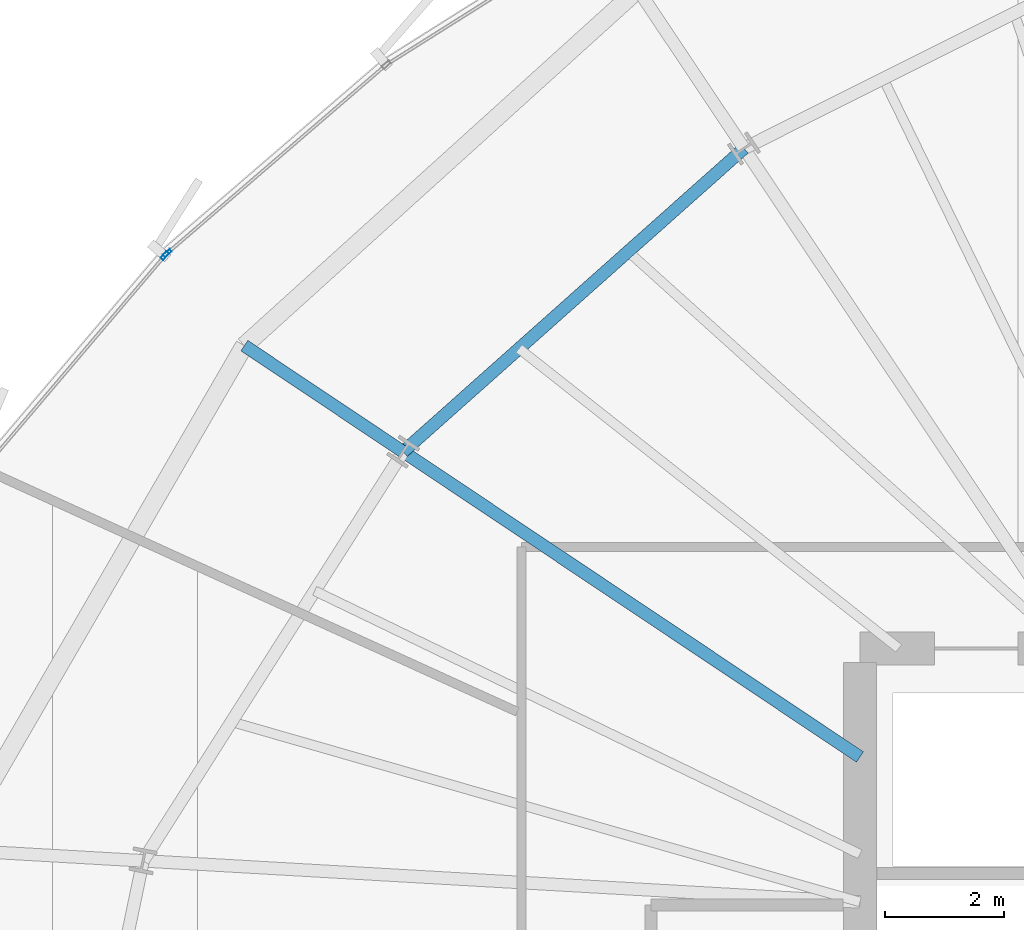
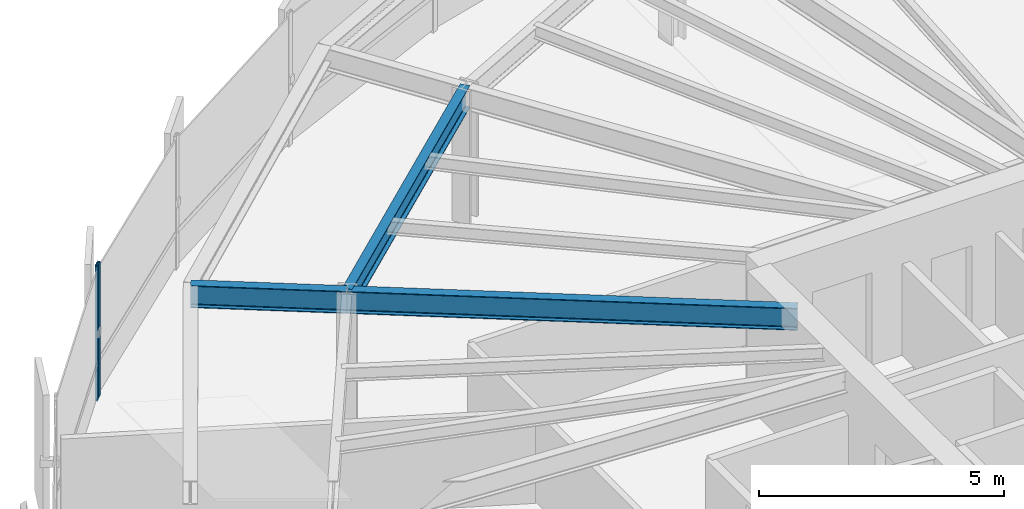
# One storey, part 18 of 33: 3 beams, 2 members, 2 elements without a shape of their own.
"""IFC4 building model written with IfcOpenShell, lengths in metres."""

from ifc_helpers import new_model, si_unit, direction, frame, origin, origin_2d, place, context, subcontext, project, spatial, hollow_rectangle, i_section, extrude, source, transform, mapped, material, layer, layer_set, material_profile, profile_set, type_object, element, aggregate, save


model = new_model("IFC4")

# Units and contexts
model_context = context("Model", 3, precision=1e-05, world=origin(), true_north=direction((0.0, 1.0)))
body_context = subcontext(model_context, "Body", "Model", "MODEL_VIEW")
ifc_project = project(units=[si_unit("LENGTHUNIT", "METRE"), si_unit("AREAUNIT", "SQUARE_METRE"), si_unit("VOLUMEUNIT", "CUBIC_METRE"), si_unit("PLANEANGLEUNIT", "RADIAN"), si_unit("MASSUNIT", "GRAM", prefix="KILO"), si_unit("THERMODYNAMICTEMPERATUREUNIT", "KELVIN")], contexts=[model_context])

# Site, building, storey
site_placement = place(None, origin())
site = spatial("IfcSite", under=ifc_project, at=site_placement, CompositionType="ELEMENT")
building_placement = place(site_placement, origin())
building = spatial("IfcBuilding", under=site, at=building_placement, Name="Kethvar Cultural Tower", CompositionType="ELEMENT")
storey_placement = place(building_placement, frame((0.0, 0.0, 114.39990234375)))
storey = spatial("IfcBuildingStorey", under=building, at=storey_placement, Name="L28", CompositionType="ELEMENT", Elevation=114.39990234375)

# Beams
ifc_material_1 = material(Name="Steel S355J2", Category="steel")
ifc_material_profile_1 = material_profile(ifc_material_1, i_section(OverallWidth=0.2099609375, OverallDepth=0.550048828125, WebThickness=0.010986328125, FlangeThickness=0.01708984375, FilletRadius=0.02392578125, at=origin_2d()), Name="Steel S355J2 — IPE550")
ifc_profile_set_1 = profile_set([ifc_material_profile_1], Name="Steel S355J2 — IPE550")
beam_type = type_object("IfcBeamType", Name="BM-IPE550", PredefinedType="BEAM", material=ifc_profile_set_1)
shared_shape_1 = source(origin(), body_context, "Body", "SweptSolid", [
    extrude(i_section(OverallWidth=0.2099609375, OverallDepth=0.550048828125, WebThickness=0.010986328125, FlangeThickness=0.01708984375, FilletRadius=0.02392578125, at=origin_2d()), origin(), (0.0, 0.0, 1.0), 3.199951171875),
])
beam_1_placement = place(storey_placement, frame((30.345947265625, 38.794189453125, 3.072998046875), z_axis=(-0.831462943996, 0.555580212716, 0.0), x_axis=(-0.555580212716, -0.831462943996, 0.0)))
element("IfcBeam", 1, at=beam_1_placement, inside=storey, type_object=beam_type, Name="L28 Perimeter Cantilever Beam RC-07", PredefinedType="BEAM", context=body_context, shape_type="MappedRepresentation", body=[
    mapped(shared_shape_1, transform((0.0, 0.0, 0.0), scale=1.0)),
])
shared_shape_2 = source(origin(), body_context, "Body", "SweptSolid", [
    extrude(i_section(OverallWidth=0.2099609375, OverallDepth=0.550048828125, WebThickness=0.010986328125, FlangeThickness=0.01708984375, FilletRadius=0.02392578125, at=origin_2d()), origin(), (0.0, 0.0, 1.0), 9.205322265625),
])
beam_2_placement = place(storey_placement, frame((38.0, 33.679931640625, 3.072998046875), z_axis=(-0.831470451236, 0.555568977465, 0.0), x_axis=(-0.555568977465, -0.831470451236, 0.0)))
element("IfcBeam", 2, at=beam_2_placement, inside=storey, type_object=beam_type, Name="L28 Primary Radial Beam RB-07", PredefinedType="BEAM", context=body_context, shape_type="MappedRepresentation", body=[
    mapped(shared_shape_2, transform((0.0, 0.0, 0.0), scale=1.0)),
])
shared_shape_3 = source(origin(), body_context, "Body", "SweptSolid", [
    extrude(i_section(OverallWidth=0.2099609375, OverallDepth=0.550048828125, WebThickness=0.010986328125, FlangeThickness=0.01708984375, FilletRadius=0.02392578125, at=origin_2d()), origin(), (0.0, 0.0, 1.0), 7.64599609375),
])
beam_3_placement = place(storey_placement, frame((36.0576171875, 43.877197265625, 3.072998046875), z_axis=(-0.747021617367, -0.66479974668, 0.0), x_axis=(0.66479974668, -0.747021617367, 0.0)))
element("IfcBeam", 3, at=beam_3_placement, inside=storey, type_object=beam_type, Name="L28 Column Ring Tie Beam CR-06", PredefinedType="BEAM", context=body_context, shape_type="MappedRepresentation", body=[
    mapped(shared_shape_3, transform((0.0, 0.0, 0.0), scale=1.0)),
])

# Curtain wall, member
ifc_material_2 = material(Name="Aluminium 6063-T6", Category="aluminium")
ifc_layer = layer(ifc_material_2, 0.179931640625, Name="Aluminium 6063-T6", Category="aluminium")
ifc_layer_set = layer_set([ifc_layer], Name="Aluminium 6063-T6 (180 mm)")
curtain_wall_type = type_object("IfcCurtainWallType", Name="CW-SYS-03-Z2", PredefinedType="NOTDEFINED", material=ifc_layer_set)
curtain_wall_1_placement = place(storey_placement, origin())
curtain_wall_1 = element("IfcCurtainWall", 4, at=curtain_wall_1_placement, inside=storey, type_object=curtain_wall_type, Name="L28 Curtain Wall Run 02", PredefinedType="NOTDEFINED")
ifc_material_profile_2 = material_profile(ifc_material_2, hollow_rectangle(XDim=0.06005859375, YDim=0.14990234375, WallThickness=0.0048828125, at=origin_2d()), Name="Aluminium 6063-T6 — RHS150x60x5")
ifc_profile_set_2 = profile_set([ifc_material_profile_2], Name="Aluminium 6063-T6 — RHS150x60x5")
member_type = type_object("IfcMemberType", Name="CW-SYS-03-Z2-MUL", PredefinedType="MULLION", material=ifc_profile_set_2)
shared_shape_4 = source(origin(), body_context, "Body", "SweptSolid", [
    extrude(hollow_rectangle(XDim=0.06005859375, YDim=0.14990234375, WallThickness=0.0048828125, at=origin_2d()), origin(), (0.0, 0.0, 1.0), 3.35009765625),
])
member_1_placement = place(storey_placement, frame((26.395263671875, 42.122314453125, 0.0), z_axis=(0.0, 0.0, 1.0), x_axis=(0.652363002904, -0.75790666473, 0.0)))
member_1 = element("IfcMember", 5, at=member_1_placement, type_object=member_type, Name="CW-L28-R02 Mullion 7", PredefinedType="MULLION", context=body_context, shape_type="MappedRepresentation", body=[
    mapped(shared_shape_4, transform((0.0, 0.0, 0.0), scale=1.0)),
])
aggregate(curtain_wall_1, [member_1])

curtain_wall_2_placement = place(storey_placement, origin())
curtain_wall_2 = element("IfcCurtainWall", 6, at=curtain_wall_2_placement, inside=storey, type_object=curtain_wall_type, Name="L28 Curtain Wall Run 03", PredefinedType="NOTDEFINED")
member_2_placement = place(storey_placement, frame((26.35302734375, 42.079833984375, 0.0), z_axis=(0.0, 0.0, 1.0), x_axis=(0.762182704677, -0.647361973467, 0.0)))
member_2 = element("IfcMember", 7, at=member_2_placement, type_object=member_type, Name="CW-L28-R03 Mullion 1", PredefinedType="MULLION", context=body_context, shape_type="MappedRepresentation", body=[
    mapped(shared_shape_4, transform((0.0, 0.0, 0.0), scale=1.0)),
])
aggregate(curtain_wall_2, [member_2])

save(model, "model.ifc")
